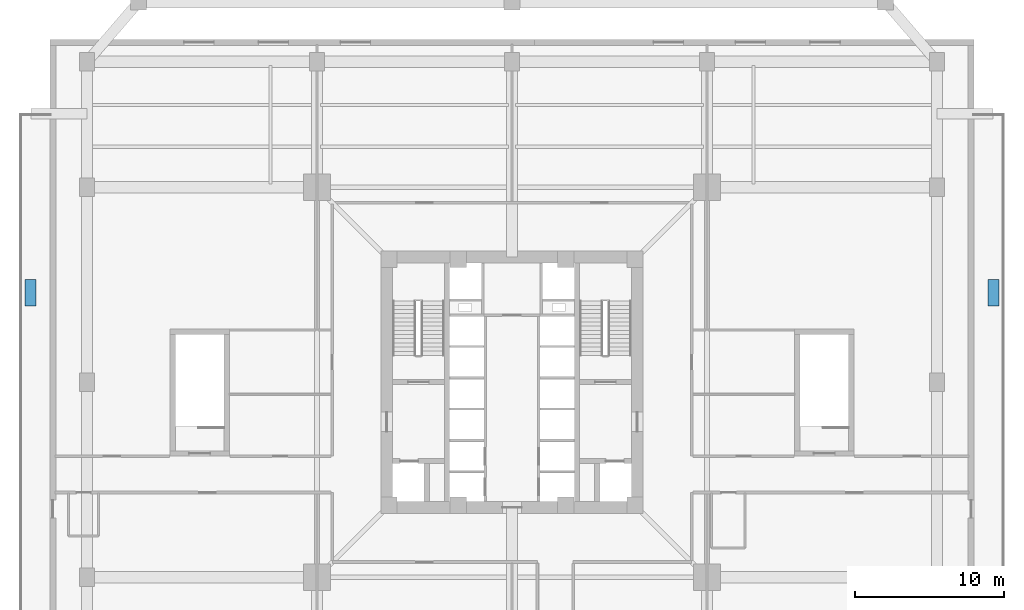
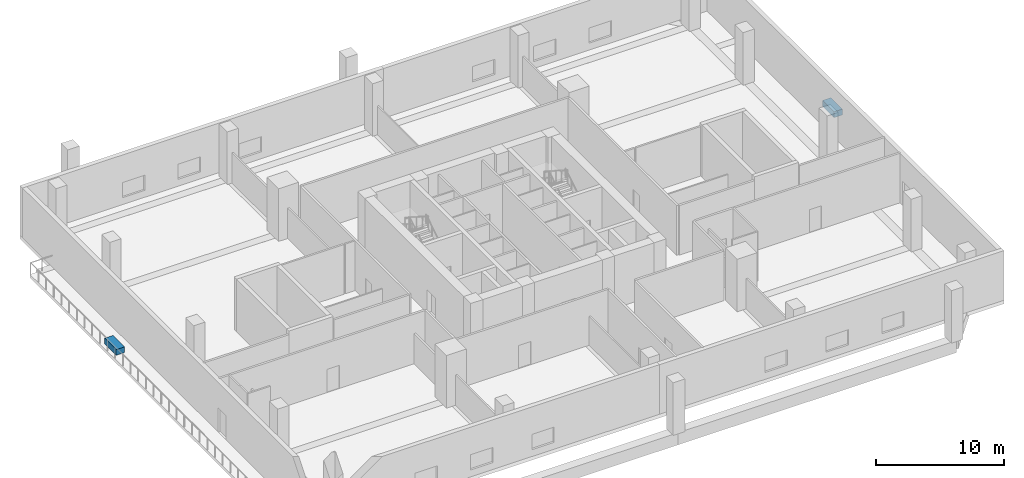
# One storey, part 5 of 8: 2 discrete accessories.
"""IFC4 building model written with IfcOpenShell, lengths in metres."""

import ifcopenshell
import ifcopenshell.guid

model = None  # the IFC model being written
_history = None  # IfcOwnerHistory: only IFC2X3 demands one
_inside = {}  # id of a spatial element -> (the spatial element, [elements in it])
_under = {}  # id of a project, library or spatial element -> (it, [spatial elements below it])
_declared = {}  # id of a project -> (the project, [libraries it declares])
_typed = {}  # id of a type object -> (the type object, [elements of that type])
_made_of = {}  # id of a material, layer set ... -> (it, [elements and type objects made of it])


def new_model(schema):
    """Start an empty IFC model of exactly this schema.

    Asked for "IFC4X3", IfcOpenShell would pick the latest addendum, in which some entities
    have other attributes; the version numbers below select the first issue.
    IFC2X3 requires an IfcOwnerHistory on every rooted entity: one is made here for all.
    """
    global model, _history
    if schema == "IFC4X3":
        model = ifcopenshell.file(schema_version=(4, 3, 0, 0))
    else:
        model = ifcopenshell.file(schema=schema)
    _inside.clear()
    _under.clear()
    _declared.clear()
    _typed.clear()
    _made_of.clear()
    _history = None
    if model.schema == "IFC2X3":
        org = make("IfcOrganization", Name="unknown")
        user = make(
            "IfcPersonAndOrganization",
            ThePerson=make("IfcPerson", FamilyName="unknown"),
            TheOrganization=org,
        )
        app = make(
            "IfcApplication",
            ApplicationDeveloper=org,
            Version="unknown",
            ApplicationFullName="unknown",
            ApplicationIdentifier="unknown",
        )
        _history = make(
            "IfcOwnerHistory",
            OwningUser=user,
            OwningApplication=app,
            ChangeAction="ADDED",
            CreationDate=0,
        )
    return model


def make(cls, **values):
    """One entity of the class cls with the attributes given. An attribute that is None is left unset."""
    return model.create_entity(
        cls, **{name: value for name, value in values.items() if value is not None}
    )


def rooted(cls, **values):
    """An entity with a GlobalId (a new one), such as an element, a storey or a relation."""
    return make(cls, GlobalId=ifcopenshell.guid.new(), OwnerHistory=_history, **values)


def si_unit(unit_type, name, prefix=None):
    """IfcSIUnit, for example si_unit("LENGTHUNIT", "METRE", prefix="MILLI")."""
    return make("IfcSIUnit", UnitType=unit_type, Prefix=prefix, Name=name)


def assignment(units):
    """IfcUnitAssignment: the units of a project."""
    return None if units is None else make("IfcUnitAssignment", Units=units)


def point(xyz):
    """IfcCartesianPoint."""
    return None if xyz is None else make("IfcCartesianPoint", Coordinates=xyz)


def direction(xyz):
    """IfcDirection."""
    return None if xyz is None else make("IfcDirection", DirectionRatios=xyz)


def frame(location, z_axis=None, x_axis=None):
    """IfcAxis2Placement3D, a coordinate frame: its origin and axes. An axis left out is left unset."""
    return make(
        "IfcAxis2Placement3D",
        Location=point(location),
        Axis=direction(z_axis),
        RefDirection=direction(x_axis),
    )


def frame_2d(location, x_axis=None):
    """IfcAxis2Placement2D, a coordinate frame in the plane: its origin and x axis."""
    return make(
        "IfcAxis2Placement2D", Location=point(location), RefDirection=direction(x_axis)
    )


def origin():
    """The frame at (0, 0, 0) with its axes left unset."""
    return frame((0.0, 0.0, 0.0))


def origin_2d():
    """The frame at (0, 0) in the plane with its x axis left unset."""
    return frame_2d((0.0, 0.0))


def place(relative_to, where):
    """IfcLocalPlacement: puts the frame where relative to a parent placement (None: the world)."""
    return make(
        "IfcLocalPlacement", PlacementRelTo=relative_to, RelativePlacement=where
    )


def context(
    kind, dimensions, precision=None, world=None, true_north=None, identifier=None
):
    """IfcGeometricRepresentationContext, for example the 3D "Model" context."""
    return make(
        "IfcGeometricRepresentationContext",
        ContextIdentifier=identifier,
        ContextType=kind,
        CoordinateSpaceDimension=dimensions,
        Precision=precision,
        WorldCoordinateSystem=world,
        TrueNorth=true_north,
    )


def subcontext(parent, identifier, kind, view, scale=None):
    """IfcGeometricRepresentationSubContext, for example "Body" below "Model"."""
    return make(
        "IfcGeometricRepresentationSubContext",
        ContextIdentifier=identifier,
        ContextType=kind,
        ParentContext=parent,
        TargetScale=scale,
        TargetView=view,
    )


def project(units=None, contexts=None):
    """IfcProject with its units and contexts."""
    return rooted(
        "IfcProject",
        Name="project",
        RepresentationContexts=contexts,
        UnitsInContext=assignment(units),
    )


def spatial(cls, under=None, at=None, **own):
    """A site, building, storey or space (cls), placed at a placement, below another one or the project."""
    s = rooted(cls, ObjectPlacement=at, **own)
    if under is not None:
        _under.setdefault(under.id(), (under, []))[1].append(s)
    return s


def profile(cls, at=None, kind="AREA", **sizes):
    """A parametric profile (cls). Its sizes go by their IFC names, for example OverallWidth=200.0."""
    return make(cls, ProfileType=kind, Position=at, **sizes)


def rectangle(**sizes):
    """IfcRectangleProfileDef."""
    return profile("IfcRectangleProfileDef", **sizes)


def extrude(swept, where, along, depth):
    """IfcExtrudedAreaSolid: the profile swept, set in the frame where, extruded along a direction by depth."""
    return make(
        "IfcExtrudedAreaSolid",
        SweptArea=swept,
        Position=where,
        ExtrudedDirection=direction(along),
        Depth=depth,
    )


def shape(context_of_items, identifier, shape_type, items):
    """IfcShapeRepresentation: the items that make up one representation, for example the "Body"."""
    return make(
        "IfcShapeRepresentation",
        ContextOfItems=context_of_items,
        RepresentationIdentifier=identifier,
        RepresentationType=shape_type,
        Items=items,
    )


def source(mapping_origin, context_of_items, identifier, shape_type, items):
    """IfcRepresentationMap: a shape defined once, which mapped items show again and again."""
    return make(
        "IfcRepresentationMap",
        MappingOrigin=mapping_origin,
        MappedRepresentation=shape(context_of_items, identifier, shape_type, items),
    )


def transform(
    local_origin,
    x_axis=None,
    y_axis=None,
    z_axis=None,
    scale=None,
    scale2=None,
    scale3=None,
    uniform=True,
):
    """IfcCartesianTransformationOperator3D, or its non-uniform kind. x_axis, y_axis, z_axis: its Axis1, 2, 3."""
    if uniform:
        return make(
            "IfcCartesianTransformationOperator3D",
            Axis1=direction(x_axis),
            Axis2=direction(y_axis),
            LocalOrigin=point(local_origin),
            Scale=scale,
            Axis3=direction(z_axis),
        )
    return make(
        "IfcCartesianTransformationOperator3DnonUniform",
        Axis1=direction(x_axis),
        Axis2=direction(y_axis),
        LocalOrigin=point(local_origin),
        Scale=scale,
        Axis3=direction(z_axis),
        Scale2=scale2,
        Scale3=scale3,
    )


def mapped(mapping_source, mapping_target):
    """IfcMappedItem: shows the shape of a source again, moved by a transform."""
    return make(
        "IfcMappedItem", MappingSource=mapping_source, MappingTarget=mapping_target
    )


def material(Name=None, Category=None):
    """IfcMaterial."""
    return make("IfcMaterial", Name=Name, Category=Category)


def made_of(thing, what):
    """Note that an element or type object is made of a material, layer set ...; save() writes the relation."""
    if what is not None:
        _made_of.setdefault(what.id(), (what, []))[1].append(thing)
    return thing


def type_object(cls, material=None, **own):
    """A type object (cls), such as IfcWallType, which elements share."""
    return made_of(rooted(cls, **own), material)


def element(
    cls,
    number,
    at=None,
    inside=None,
    cuts=None,
    type_object=None,
    material=None,
    context=None,
    identifier="Body",
    shape_type=None,
    held_by="IfcProductDefinitionShape",
    body=None,
    shapes=None,
    **own,
):
    """One element of the class cls, such as IfcWall. Its Tag is "e" and its number.

    at: its placement. inside: the storey or other place that contains it. cuts: it is an
    opening in that element (IfcRelVoidsElement). A single representation is given by context,
    identifier, shape_type and body (its items); several are given by shapes. held_by: the class
    of the entity that holds the representations. save() writes the other relations.
    """
    e = rooted(cls, Tag="e%d" % number, ObjectPlacement=at, **own)
    if body is not None:
        shapes = [shape(context, identifier, shape_type, body)]
    if shapes is not None:
        e.Representation = make(held_by, Representations=shapes)
    if inside is not None:
        _inside.setdefault(inside.id(), (inside, []))[1].append(e)
    if cuts is not None:
        rooted(
            "IfcRelVoidsElement", RelatingBuildingElement=cuts, RelatedOpeningElement=e
        )
    if type_object is not None:
        _typed.setdefault(type_object.id(), (type_object, []))[1].append(e)
    return made_of(e, material)


def aggregate(whole, parts):
    """IfcRelAggregates: a whole, such as a stair, and the parts it consists of."""
    return rooted("IfcRelAggregates", RelatingObject=whole, RelatedObjects=parts)


def save(model, path):
    """Write the relations noted so far, then the file.

    IfcRelAggregates (storeys below a building ...), IfcRelContainedInSpatialStructure (elements
    in a storey), IfcRelDefinesByType, IfcRelAssociatesMaterial and IfcRelDeclares: one each for
    every whole, place, type object, material and project.
    """
    for whole, parts in _under.values():
        aggregate(whole, parts)
    for where, things in _inside.values():
        rooted(
            "IfcRelContainedInSpatialStructure",
            RelatedElements=things,
            RelatingStructure=where,
        )
    for kind, things in _typed.values():
        rooted("IfcRelDefinesByType", RelatedObjects=things, RelatingType=kind)
    for what, things in _made_of.values():
        rooted("IfcRelAssociatesMaterial", RelatedObjects=things, RelatingMaterial=what)
    for by, libraries in _declared.values():
        rooted("IfcRelDeclares", RelatingContext=by, RelatedDefinitions=libraries)
    model.write(path)


model = new_model("IFC4")

# Units and contexts
model_context = context("Model", 3, precision=1e-05, world=origin(), true_north=direction((0.0, 1.0)))
body_context = subcontext(model_context, "Body", "Model", "MODEL_VIEW")
ifc_project = project(units=[si_unit("LENGTHUNIT", "METRE"), si_unit("AREAUNIT", "SQUARE_METRE"), si_unit("VOLUMEUNIT", "CUBIC_METRE"), si_unit("PLANEANGLEUNIT", "RADIAN"), si_unit("MASSUNIT", "GRAM", prefix="KILO"), si_unit("THERMODYNAMICTEMPERATUREUNIT", "KELVIN")], contexts=[model_context])

# Site, building, storey
site_placement = place(None, origin())
site = spatial("IfcSite", under=ifc_project, at=site_placement, CompositionType="ELEMENT")
building_placement = place(site_placement, origin())
building = spatial("IfcBuilding", under=site, at=building_placement, Name="Kosmvard Interchange Tower", CompositionType="ELEMENT")
storey_placement = place(building_placement, frame((0.0, 0.0, 21.0)))
storey = spatial("IfcBuildingStorey", under=building, at=storey_placement, Name="L04", CompositionType="ELEMENT", Elevation=21.0)

# Discrete accessories
ifc_material = material(Name="Terracotta precast planter concrete C45/55", Category="masonry")
discrete_accessory_type = type_object("IfcDiscreteAccessoryType", Name="Precast Tree-Balcony & Terrace Planter Box", PredefinedType="USERDEFINED", material=ifc_material)
shared_shape = source(origin(), body_context, "Body", "SweptSolid", [
    extrude(rectangle(XDim=0.75, YDim=1.800048828125, at=origin_2d()), origin(), (0.0, 0.0, 1.0), 0.550048828125),
])
for number, where, z_axis, x_axis, name in (
    (1, (-32.300048828125, 6.0, 0.0), (0.0, 0.0, 1.0), (1.0, 0.0, 0.0), "L04 Cascading Terrace Tree Planter TER-L04-W"),
    (2, (32.300048828125, 6.0, 0.0), (0.0, 0.0, 1.0), (1.0, 0.0, 0.0), "L04 Cascading Terrace Tree Planter TER-L04-E"),
):
    element("IfcDiscreteAccessory", number, at=place(storey_placement, frame(where, z_axis=z_axis, x_axis=x_axis)), inside=storey, type_object=discrete_accessory_type, Name=name, ObjectType="PLANTER", PredefinedType="USERDEFINED", context=body_context, shape_type="MappedRepresentation", body=[
        mapped(shared_shape, transform((0.0, 0.0, 0.0), scale=1.0)),
    ])

save(model, "model.ifc")
